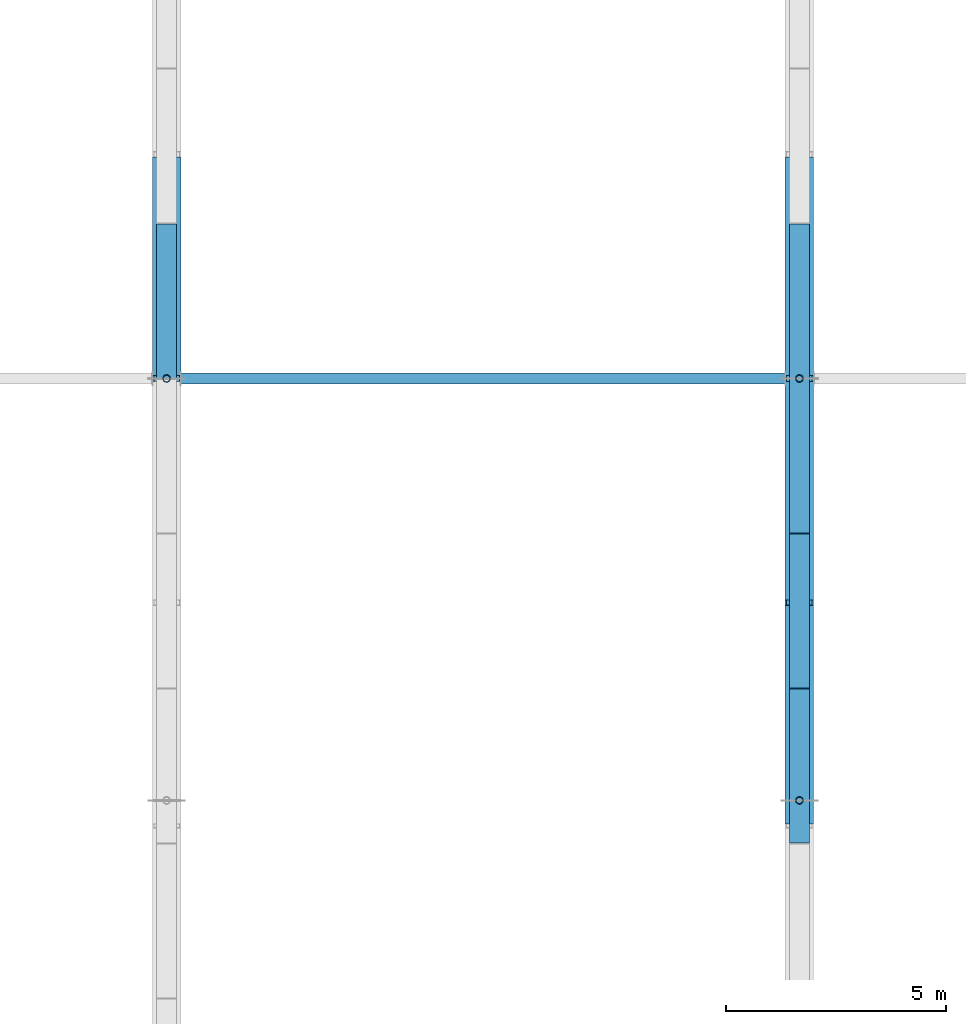
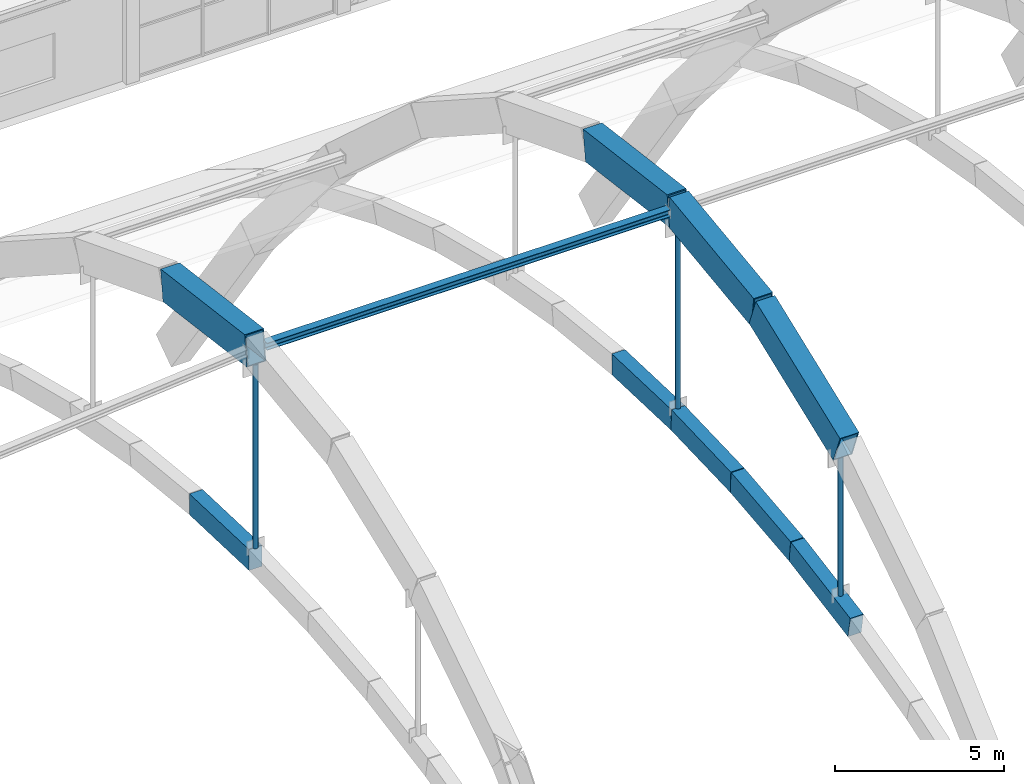
# One storey, part 7 of 64: 8 members, 5 beams.
"""IFC4 building model written with IfcOpenShell, lengths in metres."""

import ifcopenshell
import ifcopenshell.guid

model = None  # the IFC model being written
_history = None  # IfcOwnerHistory: only IFC2X3 demands one
_inside = {}  # id of a spatial element -> (the spatial element, [elements in it])
_under = {}  # id of a project, library or spatial element -> (it, [spatial elements below it])
_declared = {}  # id of a project -> (the project, [libraries it declares])
_typed = {}  # id of a type object -> (the type object, [elements of that type])
_made_of = {}  # id of a material, layer set ... -> (it, [elements and type objects made of it])


def new_model(schema):
    """Start an empty IFC model of exactly this schema.

    Asked for "IFC4X3", IfcOpenShell would pick the latest addendum, in which some entities
    have other attributes; the version numbers below select the first issue.
    IFC2X3 requires an IfcOwnerHistory on every rooted entity: one is made here for all.
    """
    global model, _history
    if schema == "IFC4X3":
        model = ifcopenshell.file(schema_version=(4, 3, 0, 0))
    else:
        model = ifcopenshell.file(schema=schema)
    _inside.clear()
    _under.clear()
    _declared.clear()
    _typed.clear()
    _made_of.clear()
    _history = None
    if model.schema == "IFC2X3":
        org = make("IfcOrganization", Name="unknown")
        user = make(
            "IfcPersonAndOrganization",
            ThePerson=make("IfcPerson", FamilyName="unknown"),
            TheOrganization=org,
        )
        app = make(
            "IfcApplication",
            ApplicationDeveloper=org,
            Version="unknown",
            ApplicationFullName="unknown",
            ApplicationIdentifier="unknown",
        )
        _history = make(
            "IfcOwnerHistory",
            OwningUser=user,
            OwningApplication=app,
            ChangeAction="ADDED",
            CreationDate=0,
        )
    return model


def make(cls, **values):
    """One entity of the class cls with the attributes given. An attribute that is None is left unset."""
    return model.create_entity(
        cls, **{name: value for name, value in values.items() if value is not None}
    )


def rooted(cls, **values):
    """An entity with a GlobalId (a new one), such as an element, a storey or a relation."""
    return make(cls, GlobalId=ifcopenshell.guid.new(), OwnerHistory=_history, **values)


def si_unit(unit_type, name, prefix=None):
    """IfcSIUnit, for example si_unit("LENGTHUNIT", "METRE", prefix="MILLI")."""
    return make("IfcSIUnit", UnitType=unit_type, Prefix=prefix, Name=name)


def assignment(units):
    """IfcUnitAssignment: the units of a project."""
    return None if units is None else make("IfcUnitAssignment", Units=units)


def point(xyz):
    """IfcCartesianPoint."""
    return None if xyz is None else make("IfcCartesianPoint", Coordinates=xyz)


def direction(xyz):
    """IfcDirection."""
    return None if xyz is None else make("IfcDirection", DirectionRatios=xyz)


def frame(location, z_axis=None, x_axis=None):
    """IfcAxis2Placement3D, a coordinate frame: its origin and axes. An axis left out is left unset."""
    return make(
        "IfcAxis2Placement3D",
        Location=point(location),
        Axis=direction(z_axis),
        RefDirection=direction(x_axis),
    )


def frame_2d(location, x_axis=None):
    """IfcAxis2Placement2D, a coordinate frame in the plane: its origin and x axis."""
    return make(
        "IfcAxis2Placement2D", Location=point(location), RefDirection=direction(x_axis)
    )


def origin():
    """The frame at (0, 0, 0) with its axes left unset."""
    return frame((0.0, 0.0, 0.0))


def origin_2d():
    """The frame at (0, 0) in the plane with its x axis left unset."""
    return frame_2d((0.0, 0.0))


def place(relative_to, where):
    """IfcLocalPlacement: puts the frame where relative to a parent placement (None: the world)."""
    return make(
        "IfcLocalPlacement", PlacementRelTo=relative_to, RelativePlacement=where
    )


def context(
    kind, dimensions, precision=None, world=None, true_north=None, identifier=None
):
    """IfcGeometricRepresentationContext, for example the 3D "Model" context."""
    return make(
        "IfcGeometricRepresentationContext",
        ContextIdentifier=identifier,
        ContextType=kind,
        CoordinateSpaceDimension=dimensions,
        Precision=precision,
        WorldCoordinateSystem=world,
        TrueNorth=true_north,
    )


def subcontext(parent, identifier, kind, view, scale=None):
    """IfcGeometricRepresentationSubContext, for example "Body" below "Model"."""
    return make(
        "IfcGeometricRepresentationSubContext",
        ContextIdentifier=identifier,
        ContextType=kind,
        ParentContext=parent,
        TargetScale=scale,
        TargetView=view,
    )


def project(units=None, contexts=None):
    """IfcProject with its units and contexts."""
    return rooted(
        "IfcProject",
        Name="project",
        RepresentationContexts=contexts,
        UnitsInContext=assignment(units),
    )


def spatial(cls, under=None, at=None, **own):
    """A site, building, storey or space (cls), placed at a placement, below another one or the project."""
    s = rooted(cls, ObjectPlacement=at, **own)
    if under is not None:
        _under.setdefault(under.id(), (under, []))[1].append(s)
    return s


def profile(cls, at=None, kind="AREA", **sizes):
    """A parametric profile (cls). Its sizes go by their IFC names, for example OverallWidth=200.0."""
    return make(cls, ProfileType=kind, Position=at, **sizes)


def rectangle(**sizes):
    """IfcRectangleProfileDef."""
    return profile("IfcRectangleProfileDef", **sizes)


def hollow_rectangle(**sizes):
    """IfcRectangleHollowProfileDef."""
    return profile("IfcRectangleHollowProfileDef", **sizes)


def hollow_circle(**sizes):
    """IfcCircleHollowProfileDef."""
    return profile("IfcCircleHollowProfileDef", **sizes)


def i_section(**sizes):
    """IfcIShapeProfileDef."""
    return profile("IfcIShapeProfileDef", **sizes)


def extrude(swept, where, along, depth):
    """IfcExtrudedAreaSolid: the profile swept, set in the frame where, extruded along a direction by depth."""
    return make(
        "IfcExtrudedAreaSolid",
        SweptArea=swept,
        Position=where,
        ExtrudedDirection=direction(along),
        Depth=depth,
    )


def shape(context_of_items, identifier, shape_type, items):
    """IfcShapeRepresentation: the items that make up one representation, for example the "Body"."""
    return make(
        "IfcShapeRepresentation",
        ContextOfItems=context_of_items,
        RepresentationIdentifier=identifier,
        RepresentationType=shape_type,
        Items=items,
    )


def material(Name=None, Category=None):
    """IfcMaterial."""
    return make("IfcMaterial", Name=Name, Category=Category)


def material_profile(
    of_material, cross_section, Name=None, Category=None, Priority=None
):
    """IfcMaterialProfile: a cross section and its material."""
    return make(
        "IfcMaterialProfile",
        Name=Name,
        Material=of_material,
        Profile=cross_section,
        Priority=Priority,
        Category=Category,
    )


def profile_set(profiles, Name=None, composite=None):
    """IfcMaterialProfileSet."""
    return make(
        "IfcMaterialProfileSet",
        Name=Name,
        MaterialProfiles=profiles,
        CompositeProfile=composite,
    )


def made_of(thing, what):
    """Note that an element or type object is made of a material, layer set ...; save() writes the relation."""
    if what is not None:
        _made_of.setdefault(what.id(), (what, []))[1].append(thing)
    return thing


def type_object(cls, material=None, **own):
    """A type object (cls), such as IfcWallType, which elements share."""
    return made_of(rooted(cls, **own), material)


def element(
    cls,
    number,
    at=None,
    inside=None,
    cuts=None,
    type_object=None,
    material=None,
    context=None,
    identifier="Body",
    shape_type=None,
    held_by="IfcProductDefinitionShape",
    body=None,
    shapes=None,
    **own,
):
    """One element of the class cls, such as IfcWall. Its Tag is "e" and its number.

    at: its placement. inside: the storey or other place that contains it. cuts: it is an
    opening in that element (IfcRelVoidsElement). A single representation is given by context,
    identifier, shape_type and body (its items); several are given by shapes. held_by: the class
    of the entity that holds the representations. save() writes the other relations.
    """
    e = rooted(cls, Tag="e%d" % number, ObjectPlacement=at, **own)
    if body is not None:
        shapes = [shape(context, identifier, shape_type, body)]
    if shapes is not None:
        e.Representation = make(held_by, Representations=shapes)
    if inside is not None:
        _inside.setdefault(inside.id(), (inside, []))[1].append(e)
    if cuts is not None:
        rooted(
            "IfcRelVoidsElement", RelatingBuildingElement=cuts, RelatedOpeningElement=e
        )
    if type_object is not None:
        _typed.setdefault(type_object.id(), (type_object, []))[1].append(e)
    return made_of(e, material)


def aggregate(whole, parts):
    """IfcRelAggregates: a whole, such as a stair, and the parts it consists of."""
    return rooted("IfcRelAggregates", RelatingObject=whole, RelatedObjects=parts)


def save(model, path):
    """Write the relations noted so far, then the file.

    IfcRelAggregates (storeys below a building ...), IfcRelContainedInSpatialStructure (elements
    in a storey), IfcRelDefinesByType, IfcRelAssociatesMaterial and IfcRelDeclares: one each for
    every whole, place, type object, material and project.
    """
    for whole, parts in _under.values():
        aggregate(whole, parts)
    for where, things in _inside.values():
        rooted(
            "IfcRelContainedInSpatialStructure",
            RelatedElements=things,
            RelatingStructure=where,
        )
    for kind, things in _typed.values():
        rooted("IfcRelDefinesByType", RelatedObjects=things, RelatingType=kind)
    for what, things in _made_of.values():
        rooted("IfcRelAssociatesMaterial", RelatedObjects=things, RelatingMaterial=what)
    for by, libraries in _declared.values():
        rooted("IfcRelDeclares", RelatingContext=by, RelatedDefinitions=libraries)
    model.write(path)


model = new_model("IFC4")

# Units and contexts
model_context = context("Model", 3, precision=1e-05, world=origin(), true_north=direction((0.0, 1.0)))
body_context = subcontext(model_context, "Body", "Model", "MODEL_VIEW")
ifc_project = project(units=[si_unit("LENGTHUNIT", "METRE"), si_unit("AREAUNIT", "SQUARE_METRE"), si_unit("VOLUMEUNIT", "CUBIC_METRE"), si_unit("PLANEANGLEUNIT", "RADIAN"), si_unit("MASSUNIT", "GRAM", prefix="KILO")], contexts=[model_context])

# Site, building, storey
site_placement = place(None, origin())
site = spatial("IfcSite", under=ifc_project, at=site_placement, CompositionType="ELEMENT")
building_placement = place(site_placement, origin())
building = spatial("IfcBuilding", under=site, at=building_placement, Name="Leyfeld Transit Interchange", CompositionType="ELEMENT")
storey_placement = place(building_placement, frame((0.0, 0.0, 9.60009765625)))
storey = spatial("IfcBuildingStorey", under=building, at=storey_placement, Name="L02", CompositionType="ELEMENT", Elevation=9.60009765625)

# Beams
ifc_material_1 = material(Name="Concrete C40/50", Category="concrete")
ifc_material_profile_1 = material_profile(ifc_material_1, rectangle(XDim=0.449951171875, YDim=0.75, at=origin_2d()), Name="RC 750x450 RIB")
ifc_profile_set_1 = profile_set([ifc_material_profile_1], Name="Concrete C40/50")
beam_type = type_object("IfcBeamType", Name="BM-RIB-750x450", PredefinedType="USERDEFINED", material=ifc_profile_set_1)
beam_1_placement = place(storey_placement, frame((14.39990234375, 32.39990234375, 7.440185546875), z_axis=(0.0, 0.999387477159, -0.034995292518), x_axis=(-1.0, 0.0, 0.0)))
element("IfcBeam", 1, at=beam_1_placement, inside=storey, type_object=beam_type, Name="Concourse Vault Rib A2 Seg 9", ObjectType="ARCH_RIB", PredefinedType="USERDEFINED", context=body_context, shape_type="SweptSolid", body=[
    extrude(rectangle(XDim=0.449951171875, YDim=0.75, at=origin_2d()), origin(), (0.0, 0.0, 1.0), 3.502197265625),
])
beam_2_placement = place(storey_placement, frame((28.800048828125, 21.89990234375, 6.3251953125), z_axis=(0.0, 0.984546197367, 0.175125056033), x_axis=(-1.0, 0.0, 0.0)))
element("IfcBeam", 2, at=beam_2_placement, inside=storey, type_object=beam_type, Name="Concourse Vault Rib A3 Seg 6", ObjectType="ARCH_RIB", PredefinedType="USERDEFINED", context=body_context, shape_type="SweptSolid", body=[
    extrude(rectangle(XDim=0.449951171875, YDim=0.75, at=origin_2d()), origin(), (0.0, 0.0, 1.0), 3.554931640625),
])
beam_3_placement = place(storey_placement, frame((28.800048828125, 25.39990234375, 6.94775390625), z_axis=(0.0, 0.99446241795, 0.105092812723), x_axis=(-1.0, 0.0, 0.0)))
element("IfcBeam", 3, at=beam_3_placement, inside=storey, type_object=beam_type, Name="Concourse Vault Rib A3 Seg 7", ObjectType="ARCH_RIB", PredefinedType="USERDEFINED", context=body_context, shape_type="SweptSolid", body=[
    extrude(rectangle(XDim=0.449951171875, YDim=0.75, at=origin_2d()), origin(), (0.0, 0.0, 1.0), 3.51953125),
])
for number, where, z_axis, x_axis, name in (
    (4, (28.800048828125, 28.89990234375, 7.317626953125), (0.0, 0.999387477159, 0.034995292518), (-1.0, 0.0, 0.0), "Concourse Vault Rib A3 Seg 8"),
    (5, (28.800048828125, 32.39990234375, 7.440185546875), (0.0, 0.999387477159, -0.034995292518), (-1.0, 0.0, 0.0), "Concourse Vault Rib A3 Seg 9"),
):
    element("IfcBeam", number, at=place(storey_placement, frame(where, z_axis=z_axis, x_axis=x_axis)), inside=storey, type_object=beam_type, Name=name, ObjectType="ARCH_RIB", PredefinedType="USERDEFINED", context=body_context, shape_type="SweptSolid", body=[
        extrude(rectangle(XDim=0.449951171875, YDim=0.75, at=origin_2d()), origin(), (0.0, 0.0, 1.0), 3.502197265625),
    ])

# Members
ifc_material_2 = material(Name="Steel S355J2 - Ochre Arch", Category="steel")
ifc_material_profile_2 = material_profile(ifc_material_2, hollow_rectangle(XDim=0.64990234375, YDim=1.10009765625, WallThickness=0.035888671875, at=origin_2d()), Name="RHS 1100x650x36")
ifc_profile_set_2 = profile_set([ifc_material_profile_2], Name="Steel S355J2 - Ochre Arch")
member_type_1 = type_object("IfcMemberType", Name="MEM-ARCH-1100", PredefinedType="USERDEFINED", material=ifc_profile_set_2)
member_1_placement = place(storey_placement, frame((14.39990234375, 32.39990234375, 15.0), z_axis=(0.0, 0.991753299157, -0.128161591795), x_axis=(-1.0, 0.0, 0.0)))
element("IfcMember", 6, at=member_1_placement, inside=storey, type_object=member_type_1, Name="Primary Steel Arch AR-01 Seg 7", ObjectType="ARCH_SEGMENT", PredefinedType="USERDEFINED", context=body_context, shape_type="SweptSolid", body=[
    extrude(hollow_rectangle(XDim=0.64990234375, YDim=1.10009765625, WallThickness=0.035888671875, at=origin_2d()), origin(), (0.0, 0.0, 1.0), 5.008056640625),
])
member_2_placement = place(storey_placement, frame((28.800048828125, 22.466796875, 12.433349609375), z_axis=(0.0, 0.932424670612, 0.361364405599), x_axis=(-1.0, 0.0, 0.0)))
element("IfcMember", 7, at=member_2_placement, inside=storey, type_object=member_type_1, Name="Primary Steel Arch AR-02 Seg 5", ObjectType="ARCH_SEGMENT", PredefinedType="USERDEFINED", context=body_context, shape_type="SweptSolid", body=[
    extrude(hollow_rectangle(XDim=0.64990234375, YDim=1.10009765625, WallThickness=0.035888671875, at=origin_2d()), origin(), (0.0, 0.0, 1.0), 5.326416015625),
])
member_3_placement = place(storey_placement, frame((28.800048828125, 27.433349609375, 14.358154296875), z_axis=(0.0, 0.991752498374, 0.128167788341), x_axis=(-1.0, 0.0, 0.0)))
element("IfcMember", 8, at=member_3_placement, inside=storey, type_object=member_type_1, Name="Primary Steel Arch AR-02 Seg 6", ObjectType="ARCH_SEGMENT", PredefinedType="USERDEFINED", context=body_context, shape_type="SweptSolid", body=[
    extrude(hollow_rectangle(XDim=0.64990234375, YDim=1.10009765625, WallThickness=0.035888671875, at=origin_2d()), origin(), (0.0, 0.0, 1.0), 5.0078125),
])
member_4_placement = place(storey_placement, frame((28.800048828125, 32.39990234375, 15.0), z_axis=(0.0, 0.991753299157, -0.128161591795), x_axis=(-1.0, 0.0, 0.0)))
element("IfcMember", 9, at=member_4_placement, inside=storey, type_object=member_type_1, Name="Primary Steel Arch AR-02 Seg 7", ObjectType="ARCH_SEGMENT", PredefinedType="USERDEFINED", context=body_context, shape_type="SweptSolid", body=[
    extrude(hollow_rectangle(XDim=0.64990234375, YDim=1.10009765625, WallThickness=0.035888671875, at=origin_2d()), origin(), (0.0, 0.0, 1.0), 5.008056640625),
])
ifc_material_3 = material(Name="Steel S355J2", Category="steel")
ifc_material_profile_3 = material_profile(ifc_material_3, i_section(OverallWidth=0.260009765625, OverallDepth=0.260009765625, WebThickness=0.010009765625, FlangeThickness=0.017578125, FilletRadius=0.02392578125, at=origin_2d()), Name="HEB 260")
ifc_profile_set_3 = profile_set([ifc_material_profile_3], Name="Steel S355J2")
member_type_2 = type_object("IfcMemberType", Name="MEM-CHD-HEB260", PredefinedType="CHORD", material=ifc_profile_set_3)
member_5_placement = place(storey_placement, frame((14.72509765625, 32.39990234375, 15.0), z_axis=(1.0, 0.0, 0.0), x_axis=(0.0, 1.0, 0.0)))
element("IfcMember", 10, at=member_5_placement, inside=storey, type_object=member_type_2, Name="Arch Longitudinal Tie Chord B2 T2", PredefinedType="CHORD", context=body_context, shape_type="SweptSolid", body=[
    extrude(i_section(OverallWidth=0.260009765625, OverallDepth=0.260009765625, WebThickness=0.010009765625, FlangeThickness=0.017578125, FilletRadius=0.02392578125, at=origin_2d()), origin(), (0.0, 0.0, 1.0), 13.75),
])
ifc_material_profile_4 = material_profile(ifc_material_3, hollow_circle(Radius=0.084228515625, WallThickness=0.008056640625, at=origin_2d()), Name="CHS 168.3x8")
ifc_profile_set_4 = profile_set([ifc_material_profile_4], Name="Steel S355J2")
member_type_3 = type_object("IfcMemberType", Name="MEM-HGR-168", PredefinedType="USERDEFINED", material=ifc_profile_set_4)
member_6_placement = place(storey_placement, frame((14.39990234375, 32.39990234375, 7.815185546875), z_axis=(0.0, 0.0, 1.0), x_axis=(1.0, 0.0, 0.0)))
element("IfcMember", 11, at=member_6_placement, inside=storey, type_object=member_type_3, Name="Arch Tension Hanger AR-01 H4", ObjectType="SUSPENDER", PredefinedType="USERDEFINED", context=body_context, shape_type="SweptSolid", body=[
    extrude(hollow_circle(Radius=0.084228515625, WallThickness=0.008056640625, at=origin_2d()), origin(), (0.0, 0.0, 1.0), 6.630126953125),
])
member_7_placement = place(storey_placement, frame((28.800048828125, 22.800048828125, 6.885009765625), z_axis=(0.0, 0.0, 1.0), x_axis=(1.0, 0.0, 0.0)))
element("IfcMember", 12, at=member_7_placement, inside=storey, type_object=member_type_3, Name="Arch Tension Hanger AR-02 H3", ObjectType="SUSPENDER", PredefinedType="USERDEFINED", context=body_context, shape_type="SweptSolid", body=[
    extrude(hollow_circle(Radius=0.084228515625, WallThickness=0.008056640625, at=origin_2d()), origin(), (0.0, 0.0, 1.0), 5.087646484375),
])
member_8_placement = place(storey_placement, frame((28.800048828125, 32.39990234375, 7.815185546875), z_axis=(0.0, 0.0, 1.0), x_axis=(1.0, 0.0, 0.0)))
element("IfcMember", 13, at=member_8_placement, inside=storey, type_object=member_type_3, Name="Arch Tension Hanger AR-02 H4", ObjectType="SUSPENDER", PredefinedType="USERDEFINED", context=body_context, shape_type="SweptSolid", body=[
    extrude(hollow_circle(Radius=0.084228515625, WallThickness=0.008056640625, at=origin_2d()), origin(), (0.0, 0.0, 1.0), 6.630126953125),
])

save(model, "model.ifc")
